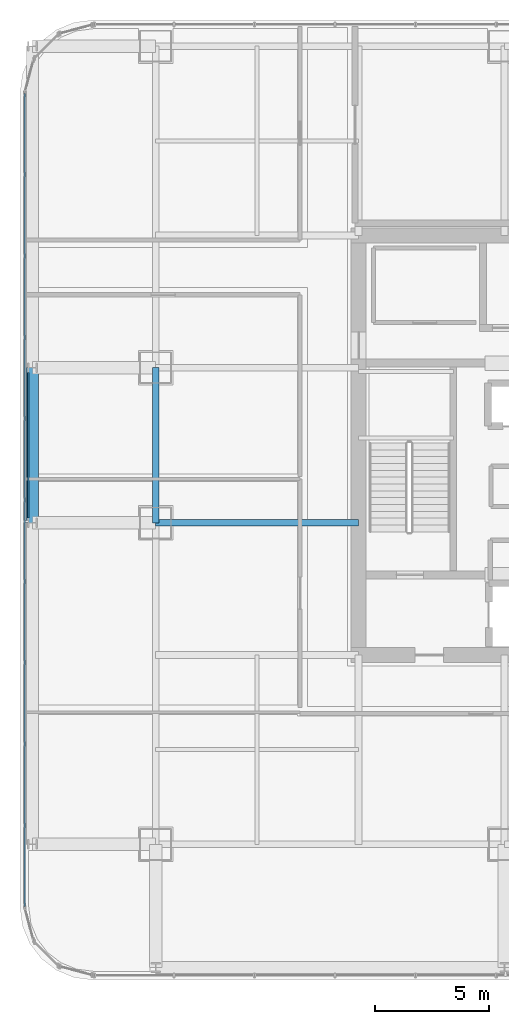
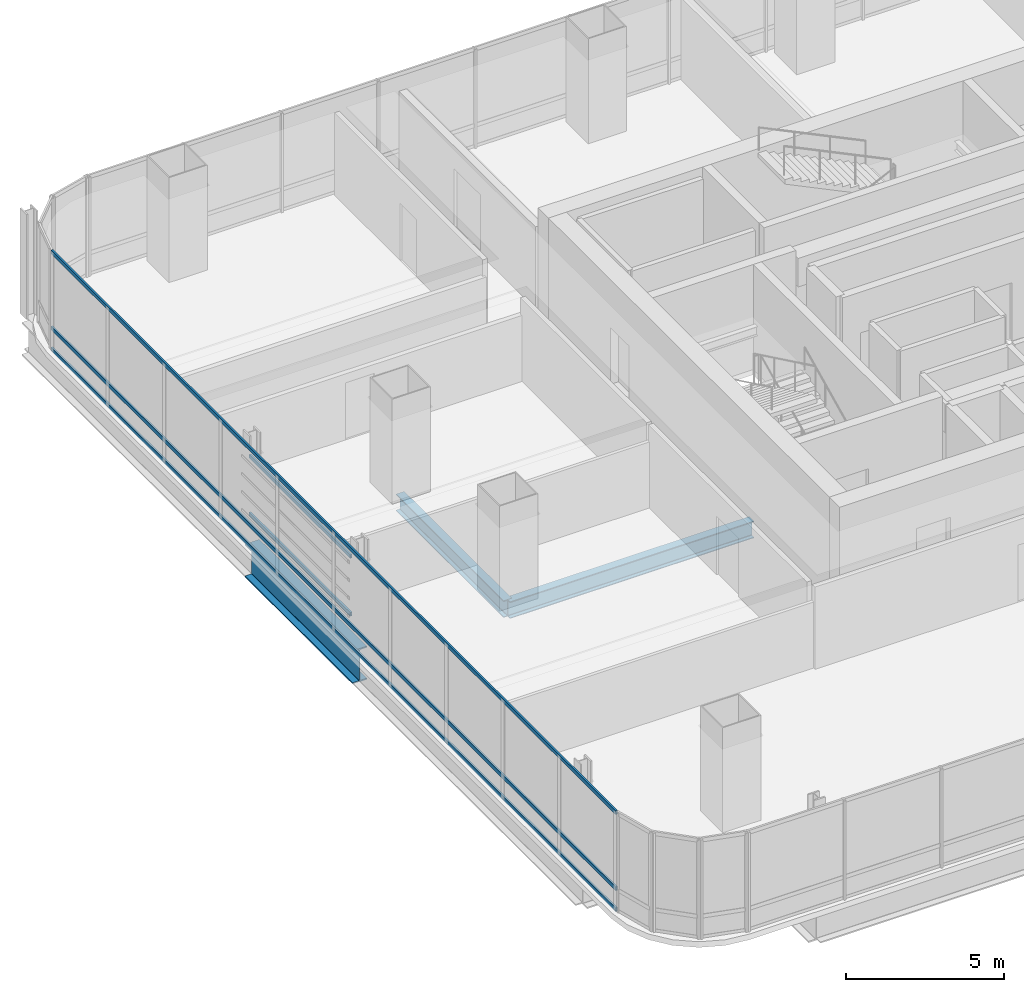
# One storey, part 10 of 36: 5 members, 3 beams, 1 element without a shape of its own.
"""IFC4 building model written with IfcOpenShell, lengths in metres."""

from ifc_helpers import new_model, si_unit, direction, frame, origin, origin_2d, place, context, subcontext, project, spatial, hollow_rectangle, i_section, extrude, material, material_profile, profile_set, type_object, element, aggregate, save


model = new_model("IFC4")

# Units and contexts
model_context = context("Model", 3, precision=1e-05, world=origin(), true_north=direction((0.0, 1.0)))
body_context = subcontext(model_context, "Body", "Model", "MODEL_VIEW")
ifc_project = project(units=[si_unit("LENGTHUNIT", "METRE"), si_unit("AREAUNIT", "SQUARE_METRE"), si_unit("VOLUMEUNIT", "CUBIC_METRE"), si_unit("PLANEANGLEUNIT", "RADIAN"), si_unit("MASSUNIT", "GRAM", prefix="KILO")], contexts=[model_context])

# Site, building, storey
site_placement = place(None, origin())
site = spatial("IfcSite", under=ifc_project, at=site_placement, CompositionType="ELEMENT")
building_placement = place(site_placement, origin())
building = spatial("IfcBuilding", under=site, at=building_placement, Name="Punatoya Terracotta Tower", CompositionType="ELEMENT")
storey_placement = place(building_placement, frame((0.0, 0.0, 184.35009765625)))
storey = spatial("IfcBuildingStorey", under=building, at=storey_placement, Name="L43", CompositionType="ELEMENT", Elevation=184.35009765625)

# Beams
ifc_material_1 = material(Name="Steel S355", Category="steel")
ifc_material_profile_1 = material_profile(ifc_material_1, i_section(OverallWidth=0.300048828125, OverallDepth=0.64990234375, WebThickness=0.01611328125, FlangeThickness=0.031005859375, FilletRadius=0.01806640625, at=origin_2d()))
ifc_profile_set_1 = profile_set([ifc_material_profile_1], Name="Steel S355")
beam_type_1 = type_object("IfcBeamType", Name="BM-PRI-650", PredefinedType="BEAM", material=ifc_profile_set_1)
beam_1_placement = place(storey_placement, frame((-19.10009765625, -3.39990234375, -0.545166015625), z_axis=(0.0, 1.0, 0.0), x_axis=(-1.0, 0.0, 0.0)))
element("IfcBeam", 1, at=beam_1_placement, inside=storey, type_object=beam_type_1, Name="BM-L43-RG-W2", PredefinedType="BEAM", context=body_context, shape_type="SweptSolid", body=[
    extrude(i_section(OverallWidth=0.300048828125, OverallDepth=0.64990234375, WebThickness=0.01611328125, FlangeThickness=0.031005859375, FilletRadius=0.01806640625, at=origin_2d()), origin(), (0.0, 0.0, 1.0), 6.7998046875),
])
beam_2_placement = place(storey_placement, frame((-19.10009765625, -3.39990234375, -0.545166015625), z_axis=(1.0, 0.0, 0.0), x_axis=(0.0, 1.0, 0.0)))
element("IfcBeam", 2, at=beam_2_placement, inside=storey, type_object=beam_type_1, Name="BM-L43-PR-WD", PredefinedType="BEAM", context=body_context, shape_type="SweptSolid", body=[
    extrude(i_section(OverallWidth=0.300048828125, OverallDepth=0.64990234375, WebThickness=0.01611328125, FlangeThickness=0.031005859375, FilletRadius=0.01806640625, at=origin_2d()), origin(), (0.0, 0.0, 1.0), 8.900146484375),
])
ifc_material_2 = material(Name="Steel S460", Category="steel")
ifc_material_profile_2 = material_profile(ifc_material_2, i_section(OverallWidth=0.52001953125, OverallDepth=1.280029296875, WebThickness=0.031982421875, FlangeThickness=0.050048828125, FilletRadius=0.01806640625, at=origin_2d()))
ifc_profile_set_2 = profile_set([ifc_material_profile_2], Name="Steel S460")
beam_type_2 = type_object("IfcBeamType", Name="BM-TG-NCK", PredefinedType="BEAM", material=ifc_profile_set_2)
beam_3_placement = place(storey_placement, frame((-24.5, -3.39990234375, -0.860107421875), z_axis=(0.0, 1.0, 0.0), x_axis=(-1.0, 0.0, 0.0)))
element("IfcBeam", 3, at=beam_3_placement, inside=storey, type_object=beam_type_2, Name="BM-L43-PER-W2", PredefinedType="BEAM", context=body_context, shape_type="SweptSolid", body=[
    extrude(i_section(OverallWidth=0.52001953125, OverallDepth=1.280029296875, WebThickness=0.031982421875, FlangeThickness=0.050048828125, FilletRadius=0.01806640625, at=origin_2d()), origin(), (0.0, 0.0, 1.0), 6.7998046875),
])

# Curtain wall, members
ifc_material_3 = material(Name="Aluminium 6063-T6 + Double Low-E Glass", Category="aluminium")
curtain_wall_type = type_object("IfcCurtainWallType", Name="CW-M2", PredefinedType="NOTDEFINED", material=ifc_material_3)
curtain_wall_placement = place(storey_placement, origin())
curtain_wall = element("IfcCurtainWall", 4, at=curtain_wall_placement, inside=storey, type_object=curtain_wall_type, Name="L43 Curtain Wall CW-L43-W13-1", PredefinedType="NOTDEFINED")
ifc_material_4 = material(Name="Aluminium 6063-T6", Category="aluminium")
ifc_material_profile_3 = material_profile(ifc_material_4, hollow_rectangle(XDim=0.068115234375, YDim=0.14990234375, WallThickness=0.00390625, at=origin_2d()))
ifc_profile_set_3 = profile_set([ifc_material_profile_3], Name="Aluminium 6063-T6")
member_type_1 = type_object("IfcMemberType", Name="CW-TRN-TYP", PredefinedType="USERDEFINED", material=ifc_profile_set_3)
member_1_placement = place(storey_placement, frame((-24.85009765625, 15.43701171875, 0.039794921875), z_axis=(0.0, -1.0, 0.0), x_axis=(1.0, 0.0, 0.0)))
member_1 = element("IfcMember", 5, at=member_1_placement, type_object=member_type_1, Name="CW-L43-W13-1 Transom 1", ObjectType="TRANSOM", PredefinedType="USERDEFINED", context=body_context, shape_type="SweptSolid", body=[
    extrude(hollow_rectangle(XDim=0.068115234375, YDim=0.14990234375, WallThickness=0.00390625, at=origin_2d()), origin(), (0.0, 0.0, 1.0), 35.673828125),
])
member_2_placement = place(storey_placement, frame((-24.85009765625, 15.43701171875, 0.849853515625), z_axis=(0.0, -1.0, 0.0), x_axis=(1.0, 0.0, 0.0)))
member_2 = element("IfcMember", 6, at=member_2_placement, type_object=member_type_1, Name="CW-L43-W13-1 Transom 2", ObjectType="TRANSOM", PredefinedType="USERDEFINED", context=body_context, shape_type="SweptSolid", body=[
    extrude(hollow_rectangle(XDim=0.068115234375, YDim=0.14990234375, WallThickness=0.00390625, at=origin_2d()), origin(), (0.0, 0.0, 1.0), 35.673828125),
])
member_3_placement = place(storey_placement, frame((-24.85009765625, 15.43701171875, 3.789794921875), z_axis=(0.0, -1.0, 0.0), x_axis=(1.0, 0.0, 0.0)))
member_3 = element("IfcMember", 7, at=member_3_placement, type_object=member_type_1, Name="CW-L43-W13-1 Transom 3", ObjectType="TRANSOM", PredefinedType="USERDEFINED", context=body_context, shape_type="SweptSolid", body=[
    extrude(hollow_rectangle(XDim=0.068115234375, YDim=0.14990234375, WallThickness=0.00390625, at=origin_2d()), origin(), (0.0, 0.0, 1.0), 35.673828125),
])
aggregate(curtain_wall, [member_1, member_2, member_3])

# Members
ifc_material_profile_4 = material_profile(ifc_material_1, hollow_rectangle(XDim=0.070068359375, YDim=0.139892578125, WallThickness=0.006103515625, at=origin_2d()))
ifc_profile_set_4 = profile_set([ifc_material_profile_4], Name="Steel S355")
member_type_2 = type_object("IfcMemberType", Name="MEM-BAG-RAIL", PredefinedType="USERDEFINED", material=ifc_profile_set_4)
for number, where, z_axis, x_axis, name in (
    (8, (-24.694580078125, -3.196044921875, 1.0498046875), (0.0, 1.0, 0.0), (-1.0, 0.0, 0.0), "L43 Terracotta Baguette Carrier Rail BAG-L43-W-R1"),
    (9, (-24.694580078125, -3.196044921875, 3.27978515625), (0.0, 1.0, 0.0), (-1.0, 0.0, 0.0), "L43 Terracotta Baguette Carrier Rail BAG-L43-W-R2"),
):
    element("IfcMember", number, at=place(storey_placement, frame(where, z_axis=z_axis, x_axis=x_axis)), inside=storey, type_object=member_type_2, Name=name, ObjectType="BAGUETTE", PredefinedType="USERDEFINED", context=body_context, shape_type="SweptSolid", body=[
        extrude(hollow_rectangle(XDim=0.070068359375, YDim=0.139892578125, WallThickness=0.006103515625, at=origin_2d()), origin(), (0.0, 0.0, 1.0), 6.39208984375),
    ])

save(model, "model.ifc")
